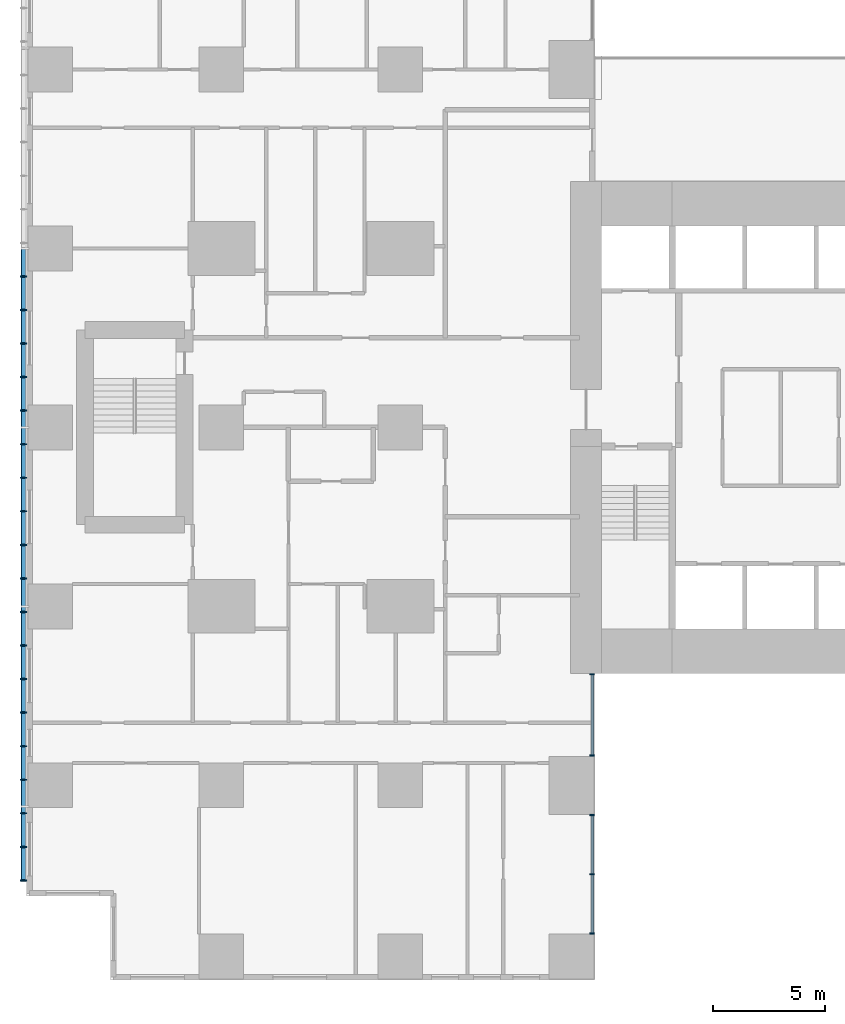
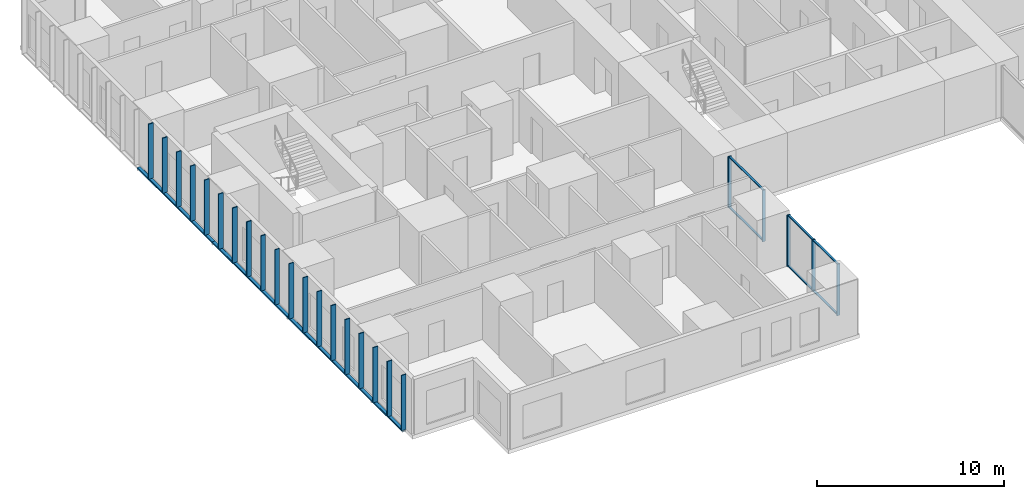
# One storey, part 2 of 20: 33 members, 2 elements without a shape of their own.
"""IFC4 building model written with IfcOpenShell, lengths in metres."""

from ifc_helpers import new_model, si_unit, direction, frame, origin, origin_2d, place, context, subcontext, project, spatial, rectangle, hollow_rectangle, extrude, material, layer, layer_set, material_profile, profile_set, type_object, element, aggregate, save


model = new_model("IFC4")

# Units and contexts
model_context = context("Model", 3, precision=1e-05, world=origin(), true_north=direction((0.0, 1.0)))
body_context = subcontext(model_context, "Body", "Model", "MODEL_VIEW")
ifc_project = project(units=[si_unit("LENGTHUNIT", "METRE"), si_unit("AREAUNIT", "SQUARE_METRE"), si_unit("VOLUMEUNIT", "CUBIC_METRE"), si_unit("PLANEANGLEUNIT", "RADIAN"), si_unit("MASSUNIT", "GRAM", prefix="KILO")], contexts=[model_context])

# Site, building, storey
site_placement = place(None, origin())
site = spatial("IfcSite", under=ifc_project, at=site_placement, CompositionType="ELEMENT")
building_placement = place(site_placement, origin())
building = spatial("IfcBuilding", under=site, at=building_placement, Name="Cleftline Residences", CompositionType="ELEMENT")
storey_placement = place(building_placement, frame((0.0, 0.0, 96.199951171875)))
storey = spatial("IfcBuildingStorey", under=building, at=storey_placement, Name="L24", CompositionType="ELEMENT", Elevation=96.199951171875)

# Members
ifc_material_1 = material(Name="Steel S355, hot-dip galvanised", Category="steel")
ifc_material_profile_1 = material_profile(ifc_material_1, hollow_rectangle(XDim=0.10009765625, YDim=0.199951171875, WallThickness=0.008056640625, InnerFilletRadius=0.008056640625, OuterFilletRadius=0.011962890625, at=origin_2d()))
ifc_profile_set_1 = profile_set([ifc_material_profile_1], Name="Steel S355, hot-dip galvanised")
member_type_1 = type_object("IfcMemberType", Name="BAGUETTE CARRIER RHS 200X100X8", PredefinedType="USERDEFINED", material=ifc_profile_set_1)
for number, where, z_axis, x_axis, name in (
    (1, (-0.85009765625, 32.0, -0.050048828125), (0.0, -1.0, 0.0), (0.0, 0.0, 1.0), "Baguette carrier"),
    (2, (-0.85009765625, 24.0, -0.050048828125), (0.0, -1.0, 0.0), (0.0, 0.0, 1.0), "Baguette carrier"),
):
    element("IfcMember", number, at=place(storey_placement, frame(where, z_axis=z_axis, x_axis=x_axis)), inside=storey, type_object=member_type_1, Name=name, ObjectType="BAGUETTE CARRIER", PredefinedType="USERDEFINED", context=body_context, shape_type="SweptSolid", body=[
        extrude(hollow_rectangle(XDim=0.10009765625, YDim=0.199951171875, WallThickness=0.008056640625, InnerFilletRadius=0.008056640625, OuterFilletRadius=0.011962890625, at=origin_2d()), origin(), (0.0, 0.0, 1.0), 8.0),
    ])
member_1_placement = place(storey_placement, frame((-0.85009765625, 16.0, -0.050048828125), z_axis=(0.0, -1.0, 0.0), x_axis=(0.0, 0.0, 1.0)))
element("IfcMember", 3, at=member_1_placement, inside=storey, type_object=member_type_1, Name="Baguette carrier", ObjectType="BAGUETTE CARRIER", PredefinedType="USERDEFINED", context=body_context, shape_type="SweptSolid", body=[
    extrude(hollow_rectangle(XDim=0.10009765625, YDim=0.199951171875, WallThickness=0.008056640625, InnerFilletRadius=0.008056640625, OuterFilletRadius=0.011962890625, at=origin_2d()), origin(), (0.0, 0.0, 1.0), 12.300048828125),
])

# Curtain wall, members
ifc_material_2 = material(Name="Aluminium framed curtain wall", Category="aluminium")
ifc_layer = layer(ifc_material_2, 0.199951171875)
ifc_layer_set = layer_set([ifc_layer], Name="CW1 CLEFT GLAZING")
curtain_wall_type = type_object("IfcCurtainWallType", Name="CW1 CLEFT GLAZING", PredefinedType="NOTDEFINED", material=ifc_layer_set)
curtain_wall_1_placement = place(storey_placement, origin())
curtain_wall_1 = element("IfcCurtainWall", 4, at=curtain_wall_1_placement, inside=storey, type_object=curtain_wall_type, Name="Curtain wall CW1", PredefinedType="NOTDEFINED")
ifc_material_3 = material(Name="Aluminium mullion", Category="aluminium")
ifc_material_profile_2 = material_profile(ifc_material_3, rectangle(XDim=0.199951171875, YDim=0.06005859375, at=origin_2d()))
ifc_profile_set_2 = profile_set([ifc_material_profile_2], Name="Aluminium mullion")
member_type_2 = type_object("IfcMemberType", Name="CW1 MULLION", PredefinedType="MULLION", material=ifc_profile_set_2)
member_2_placement = place(storey_placement, frame((24.574951171875, 1.3798828125, 0.0), z_axis=(0.0, 0.0, 1.0), x_axis=(-1.0, 0.0, 0.0)))
member_2 = element("IfcMember", 5, at=member_2_placement, type_object=member_type_2, Name="CW1 mullion 1", PredefinedType="MULLION", context=body_context, shape_type="SweptSolid", body=[
    extrude(rectangle(XDim=0.199951171875, YDim=0.06005859375, at=origin_2d()), origin(), (0.0, 0.0, 1.0), 3.35009765625),
])
member_3_placement = place(storey_placement, frame((24.574951171875, 4.02490234375, 0.0), z_axis=(0.0, 0.0, 1.0), x_axis=(-1.0, 0.0, 0.0)))
member_3 = element("IfcMember", 6, at=member_3_placement, type_object=member_type_2, Name="CW1 mullion 2", PredefinedType="MULLION", context=body_context, shape_type="SweptSolid", body=[
    extrude(rectangle(XDim=0.199951171875, YDim=0.06005859375, at=origin_2d()), origin(), (0.0, 0.0, 1.0), 3.35009765625),
])
member_4_placement = place(storey_placement, frame((24.574951171875, 6.669921875, 0.0), z_axis=(0.0, 0.0, 1.0), x_axis=(-1.0, 0.0, 0.0)))
member_4 = element("IfcMember", 7, at=member_4_placement, type_object=member_type_2, Name="CW1 mullion 3", PredefinedType="MULLION", context=body_context, shape_type="SweptSolid", body=[
    extrude(rectangle(XDim=0.199951171875, YDim=0.06005859375, at=origin_2d()), origin(), (0.0, 0.0, 1.0), 3.35009765625),
])

curtain_wall_2_placement = place(storey_placement, origin())
curtain_wall_2 = element("IfcCurtainWall", 8, at=curtain_wall_2_placement, inside=storey, type_object=curtain_wall_type, Name="Curtain wall CW1", PredefinedType="NOTDEFINED")
member_5_placement = place(storey_placement, frame((24.574951171875, 9.330078125, 0.0), z_axis=(0.0, 0.0, 1.0), x_axis=(-1.0, 0.0, 0.0)))
member_5 = element("IfcMember", 9, at=member_5_placement, type_object=member_type_2, Name="CW1 mullion 1", PredefinedType="MULLION", context=body_context, shape_type="SweptSolid", body=[
    extrude(rectangle(XDim=0.199951171875, YDim=0.06005859375, at=origin_2d()), origin(), (0.0, 0.0, 1.0), 3.35009765625),
])
member_6_placement = place(storey_placement, frame((24.574951171875, 12.969970703125, 0.0), z_axis=(0.0, 0.0, 1.0), x_axis=(-1.0, 0.0, 0.0)))
member_6 = element("IfcMember", 10, at=member_6_placement, type_object=member_type_2, Name="CW1 mullion 2", PredefinedType="MULLION", context=body_context, shape_type="SweptSolid", body=[
    extrude(rectangle(XDim=0.199951171875, YDim=0.06005859375, at=origin_2d()), origin(), (0.0, 0.0, 1.0), 3.35009765625),
])

# Member
ifc_material_4 = material(Name="Aluminium transom", Category="aluminium")
ifc_material_profile_3 = material_profile(ifc_material_4, rectangle(XDim=0.1201171875, YDim=0.06005859375, at=origin_2d()))
ifc_profile_set_3 = profile_set([ifc_material_profile_3], Name="Aluminium transom")
member_type_3 = type_object("IfcMemberType", Name="CW1 TRANSOM", PredefinedType="USERDEFINED", material=ifc_profile_set_3)
member_7_placement = place(storey_placement, frame((24.574951171875, 1.409912109375, 0.030029296875), z_axis=(0.0, 1.0, 0.0), x_axis=(-1.0, 0.0, 0.0)))
member_7 = element("IfcMember", 11, at=member_7_placement, type_object=member_type_3, Name="CW1 transom 1.1", ObjectType="TRANSOM", PredefinedType="USERDEFINED", context=body_context, shape_type="SweptSolid", body=[
    extrude(rectangle(XDim=0.1201171875, YDim=0.06005859375, at=origin_2d()), origin(), (0.0, 0.0, 1.0), 2.585205078125),
])

member_8_placement = place(storey_placement, frame((24.574951171875, 1.409912109375, 3.320068359375), z_axis=(0.0, 1.0, 0.0), x_axis=(-1.0, 0.0, 0.0)))
member_8 = element("IfcMember", 12, at=member_8_placement, type_object=member_type_3, Name="CW1 transom 1.2", ObjectType="TRANSOM", PredefinedType="USERDEFINED", context=body_context, shape_type="SweptSolid", body=[
    extrude(rectangle(XDim=0.1201171875, YDim=0.06005859375, at=origin_2d()), origin(), (0.0, 0.0, 1.0), 2.585205078125),
])

member_9_placement = place(storey_placement, frame((24.574951171875, 4.054931640625, 0.030029296875), z_axis=(0.0, 1.0, 0.0), x_axis=(-1.0, 0.0, 0.0)))
member_9 = element("IfcMember", 13, at=member_9_placement, type_object=member_type_3, Name="CW1 transom 2.1", ObjectType="TRANSOM", PredefinedType="USERDEFINED", context=body_context, shape_type="SweptSolid", body=[
    extrude(rectangle(XDim=0.1201171875, YDim=0.06005859375, at=origin_2d()), origin(), (0.0, 0.0, 1.0), 2.5849609375),
])

member_10_placement = place(storey_placement, frame((24.574951171875, 4.054931640625, 3.320068359375), z_axis=(0.0, 1.0, 0.0), x_axis=(-1.0, 0.0, 0.0)))
member_10 = element("IfcMember", 14, at=member_10_placement, type_object=member_type_3, Name="CW1 transom 2.2", ObjectType="TRANSOM", PredefinedType="USERDEFINED", context=body_context, shape_type="SweptSolid", body=[
    extrude(rectangle(XDim=0.1201171875, YDim=0.06005859375, at=origin_2d()), origin(), (0.0, 0.0, 1.0), 2.5849609375),
])

aggregate(curtain_wall_1, [member_2, member_3, member_4, member_7, member_8, member_9, member_10])

member_11_placement = place(storey_placement, frame((24.574951171875, 9.360107421875, 0.030029296875), z_axis=(0.0, 1.0, 0.0), x_axis=(-1.0, 0.0, 0.0)))
member_11 = element("IfcMember", 15, at=member_11_placement, type_object=member_type_3, Name="CW1 transom 1.1", ObjectType="TRANSOM", PredefinedType="USERDEFINED", context=body_context, shape_type="SweptSolid", body=[
    extrude(rectangle(XDim=0.1201171875, YDim=0.06005859375, at=origin_2d()), origin(), (0.0, 0.0, 1.0), 3.579833984375),
])

member_12_placement = place(storey_placement, frame((24.574951171875, 9.360107421875, 3.320068359375), z_axis=(0.0, 1.0, 0.0), x_axis=(-1.0, 0.0, 0.0)))
member_12 = element("IfcMember", 16, at=member_12_placement, type_object=member_type_3, Name="CW1 transom 1.2", ObjectType="TRANSOM", PredefinedType="USERDEFINED", context=body_context, shape_type="SweptSolid", body=[
    extrude(rectangle(XDim=0.1201171875, YDim=0.06005859375, at=origin_2d()), origin(), (0.0, 0.0, 1.0), 3.579833984375),
])

aggregate(curtain_wall_2, [member_5, member_6, member_11, member_12])

# Members
ifc_material_5 = material(Name="Extruded terracotta", Category="masonry")
ifc_material_profile_4 = material_profile(ifc_material_5, rectangle(XDim=0.06005859375, YDim=0.300048828125, at=origin_2d()))
ifc_profile_set_4 = profile_set([ifc_material_profile_4], Name="Extruded terracotta")
member_type_4 = type_object("IfcMemberType", Name="TERRACOTTA BAGUETTE 60X300", PredefinedType="USERDEFINED", material=ifc_profile_set_4)
for number, where, z_axis, x_axis, name in (
    (17, (-0.85009765625, 30.75, 0.0), (0.0, 0.0, 1.0), (0.0, 1.0, 0.0), "Terracotta baguette"),
    (18, (-0.85009765625, 29.25, 0.0), (0.0, 0.0, 1.0), (0.0, 1.0, 0.0), "Terracotta baguette"),
    (19, (-0.85009765625, 27.75, 0.0), (0.0, 0.0, 1.0), (0.0, 1.0, 0.0), "Terracotta baguette"),
    (20, (-0.85009765625, 26.25, 0.0), (0.0, 0.0, 1.0), (0.0, 1.0, 0.0), "Terracotta baguette"),
    (21, (-0.85009765625, 24.75, 0.0), (0.0, 0.0, 1.0), (0.0, 1.0, 0.0), "Terracotta baguette"),
    (22, (-0.85009765625, 23.25, 0.0), (0.0, 0.0, 1.0), (0.0, 1.0, 0.0), "Terracotta baguette"),
    (23, (-0.85009765625, 21.75, 0.0), (0.0, 0.0, 1.0), (0.0, 1.0, 0.0), "Terracotta baguette"),
    (24, (-0.85009765625, 20.25, 0.0), (0.0, 0.0, 1.0), (0.0, 1.0, 0.0), "Terracotta baguette"),
    (25, (-0.85009765625, 18.75, 0.0), (0.0, 0.0, 1.0), (0.0, 1.0, 0.0), "Terracotta baguette"),
    (26, (-0.85009765625, 17.25, 0.0), (0.0, 0.0, 1.0), (0.0, 1.0, 0.0), "Terracotta baguette"),
    (27, (-0.85009765625, 15.75, 0.0), (0.0, 0.0, 1.0), (0.0, 1.0, 0.0), "Terracotta baguette"),
    (28, (-0.85009765625, 14.25, 0.0), (0.0, 0.0, 1.0), (0.0, 1.0, 0.0), "Terracotta baguette"),
    (29, (-0.85009765625, 12.75, 0.0), (0.0, 0.0, 1.0), (0.0, 1.0, 0.0), "Terracotta baguette"),
    (30, (-0.85009765625, 11.25, 0.0), (0.0, 0.0, 1.0), (0.0, 1.0, 0.0), "Terracotta baguette"),
    (31, (-0.85009765625, 9.75, 0.0), (0.0, 0.0, 1.0), (0.0, 1.0, 0.0), "Terracotta baguette"),
    (32, (-0.85009765625, 8.25, 0.0), (0.0, 0.0, 1.0), (0.0, 1.0, 0.0), "Terracotta baguette"),
    (33, (-0.85009765625, 6.75, 0.0), (0.0, 0.0, 1.0), (0.0, 1.0, 0.0), "Terracotta baguette"),
    (34, (-0.85009765625, 5.25, 0.0), (0.0, 0.0, 1.0), (0.0, 1.0, 0.0), "Terracotta baguette"),
    (35, (-0.85009765625, 3.75, 0.0), (0.0, 0.0, 1.0), (0.0, 1.0, 0.0), "Terracotta baguette"),
):
    element("IfcMember", number, at=place(storey_placement, frame(where, z_axis=z_axis, x_axis=x_axis)), inside=storey, type_object=member_type_4, Name=name, ObjectType="BAGUETTE", PredefinedType="USERDEFINED", context=body_context, shape_type="SweptSolid", body=[
        extrude(rectangle(XDim=0.06005859375, YDim=0.300048828125, at=origin_2d()), origin(), (0.0, 0.0, 1.0), 3.60009765625),
    ])

save(model, "model.ifc")
